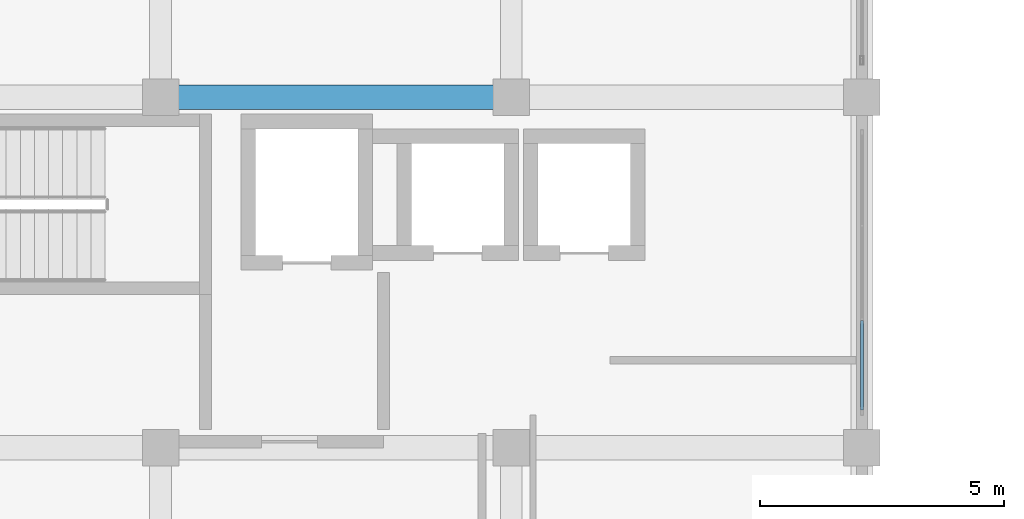
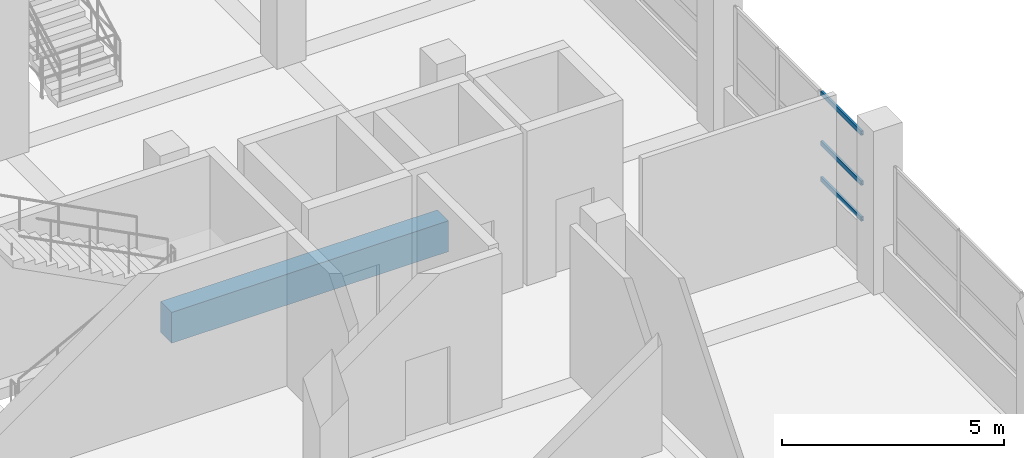
# One storey, part 52 of 141: 3 members, 1 beam, 1 element without a shape of its own.
"""IFC4 building model written with IfcOpenShell, lengths in metres."""

from ifc_helpers import new_model, si_unit, direction, frame, origin, origin_2d, place, context, subcontext, project, spatial, rectangle, hollow_rectangle, extrude, material, layer, layer_set, material_profile, profile_set, type_object, element, aggregate, save


model = new_model("IFC4")

# Units and contexts
model_context = context("Model", 3, precision=1e-05, world=origin(), true_north=direction((0.0, 1.0)))
body_context = subcontext(model_context, "Body", "Model", "MODEL_VIEW")
ifc_project = project(units=[si_unit("LENGTHUNIT", "METRE"), si_unit("AREAUNIT", "SQUARE_METRE"), si_unit("VOLUMEUNIT", "CUBIC_METRE"), si_unit("PLANEANGLEUNIT", "RADIAN"), si_unit("MASSUNIT", "GRAM", prefix="KILO")], contexts=[model_context])

# Site, building, storey
site_placement = place(None, origin())
site = spatial("IfcSite", under=ifc_project, at=site_placement, CompositionType="ELEMENT")
building_placement = place(site_placement, origin())
building = spatial("IfcBuilding", under=site, at=building_placement, Name="Seraya Terrace Polytechnic", CompositionType="ELEMENT")
storey_placement = place(building_placement, frame((0.0, 0.0, 14.39990234375)))
storey = spatial("IfcBuildingStorey", under=building, at=storey_placement, Name="L03", CompositionType="ELEMENT", Elevation=14.39990234375)

# Beam
ifc_material_1 = material(Name="Concrete C40/50", Category="concrete")
ifc_material_profile_1 = material_profile(ifc_material_1, rectangle(XDim=0.5, YDim=0.85009765625, at=origin_2d()), Name="RC 500x850")
ifc_profile_set_1 = profile_set([ifc_material_profile_1], Name="Concrete C40/50")
beam_type = type_object("IfcBeamType", Name="BM-05", PredefinedType="BEAM", material=ifc_profile_set_1)
beam_placement = place(storey_placement, frame((93.60009765625, 43.199951171875, -0.4248046875), z_axis=(1.0, 0.0, 0.0), x_axis=(0.0, 1.0, 0.0)))
element("IfcBeam", 1, at=beam_placement, inside=storey, type_object=beam_type, Name="Beam BM-05 L03 X (93.6..100.8, 43.2)", PredefinedType="BEAM", context=body_context, shape_type="SweptSolid", body=[
    extrude(rectangle(XDim=0.5, YDim=0.85009765625, at=origin_2d()), origin(), (0.0, 0.0, 1.0), 7.199951171875),
])

# Curtain wall, members
ifc_material_2 = material(Name="Anodised aluminium EN AW-6063 T6", Category="aluminium")
ifc_layer = layer(ifc_material_2, 0.179931640625, Name="CW-23")
ifc_layer_set = layer_set([ifc_layer], Name="Anodised aluminium EN AW-6063 T6")
curtain_wall_type = type_object("IfcCurtainWallType", Name="CW-23", PredefinedType="NOTDEFINED", material=ifc_layer_set)
curtain_wall_placement = place(storey_placement, origin())
curtain_wall = element("IfcCurtainWall", 2, at=curtain_wall_placement, inside=storey, type_object=curtain_wall_type, Name="Unitised curtain wall CW-23 (CW-L03-131)", PredefinedType="NOTDEFINED")
ifc_material_profile_2 = material_profile(ifc_material_2, hollow_rectangle(XDim=0.06005859375, YDim=0.1201171875, WallThickness=0.003173828125, at=origin_2d()), Name="RHS 120x60x3.2")
ifc_profile_set_2 = profile_set([ifc_material_profile_2], Name="Anodised aluminium EN AW-6063 T6")
member_type = type_object("IfcMemberType", Name="CWT-02", PredefinedType="USERDEFINED", material=ifc_profile_set_2)
member_1_placement = place(storey_placement, frame((108.0, 38.610107421875, 1.27001953125), z_axis=(0.0, -1.0, 0.0), x_axis=(1.0, 0.0, 0.0)))
member_1 = element("IfcMember", 3, at=member_1_placement, type_object=member_type, Name="CW-23 transom 3.1", ObjectType="TRANSOM", PredefinedType="USERDEFINED", context=body_context, shape_type="SweptSolid", body=[
    extrude(hollow_rectangle(XDim=0.06005859375, YDim=0.1201171875, WallThickness=0.003173828125, at=origin_2d()), origin(), (0.0, 0.0, 1.0), 1.830078125),
])
member_2_placement = place(storey_placement, frame((108.0, 38.610107421875, 2.256591796875), z_axis=(0.0, -1.0, 0.0), x_axis=(1.0, 0.0, 0.0)))
member_2 = element("IfcMember", 4, at=member_2_placement, type_object=member_type, Name="CW-23 transom 3.2", ObjectType="TRANSOM", PredefinedType="USERDEFINED", context=body_context, shape_type="SweptSolid", body=[
    extrude(hollow_rectangle(XDim=0.06005859375, YDim=0.1201171875, WallThickness=0.003173828125, at=origin_2d()), origin(), (0.0, 0.0, 1.0), 1.830078125),
])
member_3_placement = place(storey_placement, frame((108.0, 38.610107421875, 3.630126953125), z_axis=(0.0, -1.0, 0.0), x_axis=(1.0, 0.0, 0.0)))
member_3 = element("IfcMember", 5, at=member_3_placement, type_object=member_type, Name="CW-23 transom 3.3", ObjectType="TRANSOM", PredefinedType="USERDEFINED", context=body_context, shape_type="SweptSolid", body=[
    extrude(hollow_rectangle(XDim=0.06005859375, YDim=0.1201171875, WallThickness=0.003173828125, at=origin_2d()), origin(), (0.0, 0.0, 1.0), 1.830078125),
])
aggregate(curtain_wall, [member_1, member_2, member_3])

save(model, "model.ifc")
